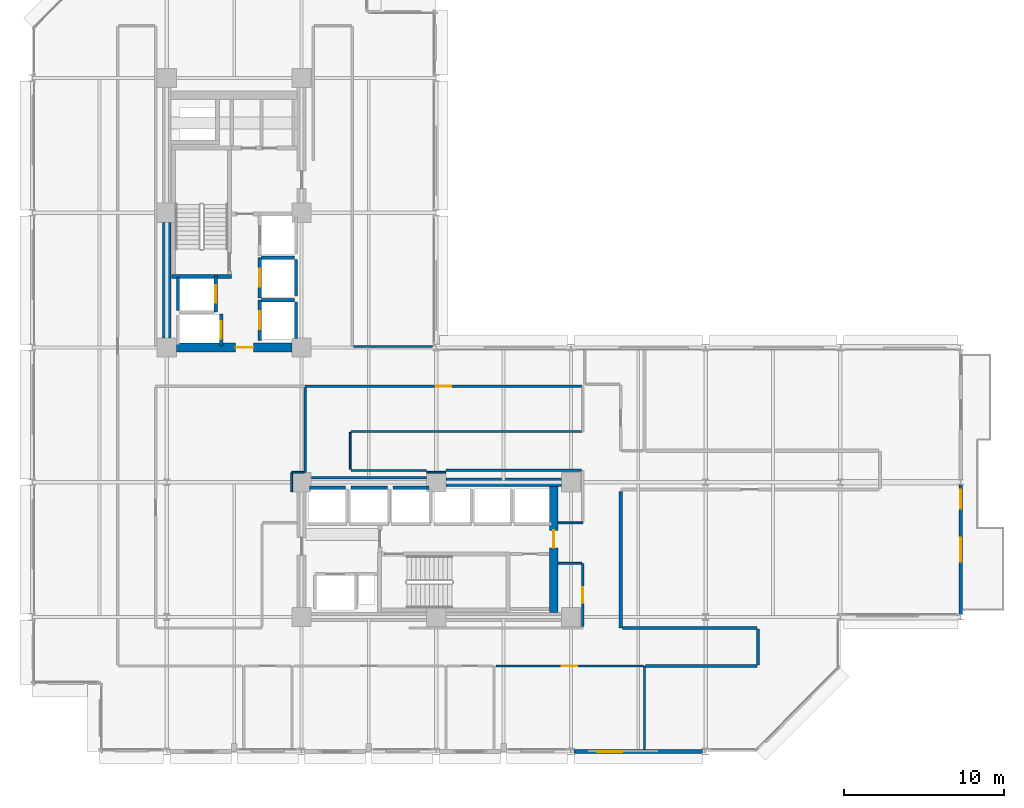
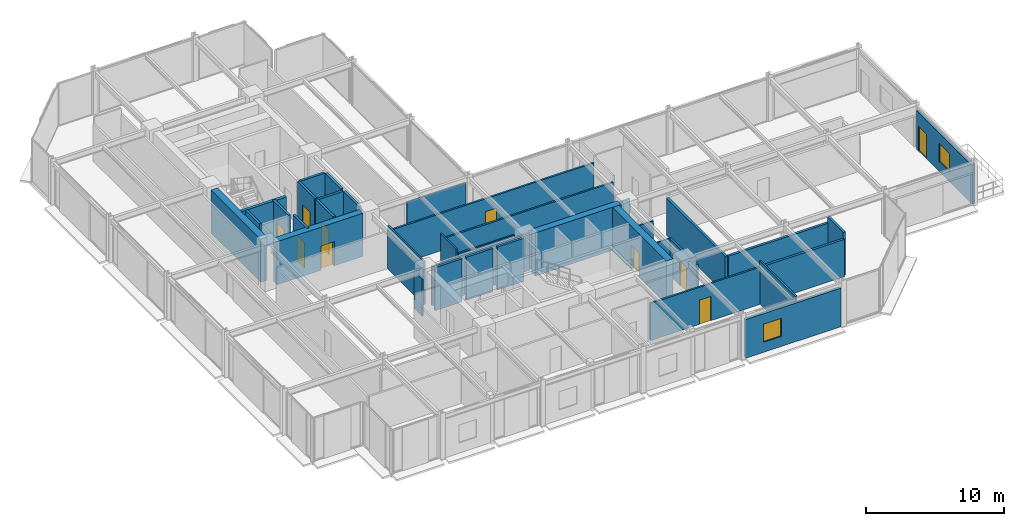
# One storey, part 33 of 39: 39 walls, 10 doors, 2 windows, 12 openings.
"""IFC4 building model written with IfcOpenShell, lengths in metres."""

from ifc_helpers import new_model, si_unit, direction, frame, frame_2d, origin, place, context, subcontext, project, spatial, rectangle, extrude, material, layer, layer_set, type_object, element, fill, save


model = new_model("IFC4")

# Units and contexts
model_context = context("Model", 3, precision=1e-05, world=origin(), true_north=direction((0.0, 1.0)))
body_context = subcontext(model_context, "Body", "Model", "MODEL_VIEW")
ifc_project = project(units=[si_unit("LENGTHUNIT", "METRE"), si_unit("AREAUNIT", "SQUARE_METRE"), si_unit("VOLUMEUNIT", "CUBIC_METRE"), si_unit("PLANEANGLEUNIT", "RADIAN"), si_unit("MASSUNIT", "GRAM", prefix="KILO")], contexts=[model_context])

# Site, building, storey
site_placement = place(None, origin())
site = spatial("IfcSite", under=ifc_project, at=site_placement, CompositionType="ELEMENT")
building_placement = place(site_placement, origin())
building = spatial("IfcBuilding", under=site, at=building_placement, Name="Nerrivon Quay Data Exchange", CompositionType="ELEMENT")
storey_placement = place(building_placement, frame((0.0, 0.0, 92.60009765625)))
storey = spatial("IfcBuildingStorey", under=building, at=storey_placement, Name="L21", CompositionType="ELEMENT", Elevation=92.60009765625)

# Wall, openings, door, window
ifc_material_1 = material(Name="Architectural terracotta precast concrete N50 (50 MPa)", Category="masonry")
ifc_layer_1 = layer(ifc_material_1, 0.239990234375)
ifc_layer_set_1 = layer_set([ifc_layer_1], Name="Architectural terracotta precast concrete N50 (50 MPa)")
wall_type_1 = type_object("IfcWallType", Name="EW-PREC-240", PredefinedType="STANDARD", material=ifc_layer_set_1)
wall_1_placement = place(storey_placement, frame((57.89990234375, 16.636474609375, 0.0), z_axis=(0.0, 0.0, 1.0), x_axis=(0.0, -1.0, 0.0)))
wall_1 = element("IfcWall", 1, at=wall_1_placement, inside=storey, type_object=wall_type_1, Name="L21 Terrace Host Wall 2", PredefinedType="STANDARD", context=body_context, shape_type="SweptSolid", body=[
    extrude(rectangle(XDim=8.072998046875, YDim=0.239990234375, at=frame_2d((4.03662109375, 0.0))), origin(), (0.0, 0.0, 1.0), 3.421875),
])
opening_1_placement = place(wall_1_placement, frame((0.300048828125, 0.0, 0.0)))
opening_1 = element("IfcOpeningElement", 2, at=opening_1_placement, cuts=wall_1, Name="Opening TD1", PredefinedType="OPENING", context=body_context, shape_type="SweptSolid", body=[
    extrude(rectangle(XDim=1.199951171875, YDim=2.199951171875, at=frame_2d((0.60009765625, 1.10009765625))), frame((0.0, 0.1298828125, 0.0), z_axis=(0.0, -1.0, 0.0), x_axis=(1.0, 0.0, 0.0)), (0.0, 0.0, 1.0), 0.260009765625),
])
opening_2_placement = place(wall_1_placement, frame((3.28662109375, 0.0, 0.89990234375)))
opening_2 = element("IfcOpeningElement", 3, at=opening_2_placement, cuts=wall_1, Name="Opening WN4", PredefinedType="OPENING", context=body_context, shape_type="SweptSolid", body=[
    extrude(rectangle(XDim=1.5, YDim=1.60009765625, at=frame_2d((0.75, 0.800048828125))), frame((0.0, 0.1298828125, 0.0), z_axis=(0.0, -1.0, 0.0), x_axis=(1.0, 0.0, 0.0)), (0.0, 0.0, 1.0), 0.260009765625),
])
ifc_material_2 = material(Name="Double-glazed low-E solar control glass", Category="glass")
door_type_1 = type_object("IfcDoorType", Name="DR-TERR-1200x2200", OperationType="NOTDEFINED", PredefinedType="DOOR", material=ifc_material_2)
door_1_placement = place(opening_1_placement, origin())
door_1 = element("IfcDoor", 4, at=door_1_placement, inside=storey, type_object=door_type_1, Name="L21 Outdoor Terrace Access Door 2", OperationType="SINGLE_SWING_LEFT", OverallHeight=2.199951171875, OverallWidth=1.199951171875, PredefinedType="DOOR", context=body_context, shape_type="SweptSolid", body=[
    extrude(rectangle(XDim=1.199951171875, YDim=2.199951171875, at=frame_2d((0.60009765625, 1.10009765625))), frame((0.0, 0.02490234375, 0.0), z_axis=(0.0, -1.0, 0.0), x_axis=(1.0, 0.0, 0.0)), (0.0, 0.0, 1.0), 0.050048828125),
])
fill(opening_1, door_1)
window_type = type_object("IfcWindowType", Name="WIN-W4-1500x1600", PartitioningType="SINGLE_PANEL", PredefinedType="WINDOW", material=ifc_material_2)
window_1_placement = place(opening_2_placement, origin())
window_1 = element("IfcWindow", 5, at=window_1_placement, inside=storey, type_object=window_type, Name="L21 Terrace Side Window 2", OverallHeight=1.60009765625, OverallWidth=1.5, PartitioningType="SINGLE_PANEL", PredefinedType="WINDOW", context=body_context, shape_type="SweptSolid", body=[
    extrude(rectangle(XDim=1.5, YDim=1.60009765625, at=frame_2d((0.75, 0.800048828125))), frame((0.0, 0.030029296875, 0.0), z_axis=(0.0, -1.0, 0.0), x_axis=(1.0, 0.0, 0.0)), (0.0, 0.0, 1.0), 0.06005859375),
])
fill(opening_2, window_1)

# Wall, opening, window
wall_2_placement = place(storey_placement, frame((41.800048828125, 0.0, 0.0), z_axis=(0.0, 0.0, 1.0), x_axis=(-1.0, 0.0, 0.0)))
wall_2 = element("IfcWall", 6, at=wall_2_placement, inside=storey, type_object=wall_type_1, Name="L21 Podium Precast Spandrel Wall 7", PredefinedType="STANDARD", context=body_context, shape_type="SweptSolid", body=[
    extrude(rectangle(XDim=8.0, YDim=0.239990234375, at=frame_2d((4.0, 0.0))), origin(), (0.0, 0.0, 1.0), 3.421875),
])
opening_3_placement = place(wall_2_placement, frame((5.013916015625, 0.0, 0.89990234375)))
opening_3 = element("IfcOpeningElement", 7, at=opening_3_placement, cuts=wall_2, Name="Opening WN4", PredefinedType="OPENING", context=body_context, shape_type="SweptSolid", body=[
    extrude(rectangle(XDim=1.5, YDim=1.60009765625, at=frame_2d((0.75, 0.800048828125))), frame((0.0, 0.1298828125, 0.0), z_axis=(0.0, -1.0, 0.0), x_axis=(1.0, 0.0, 0.0)), (0.0, 0.0, 1.0), 0.260009765625),
])
window_2_placement = place(opening_3_placement, origin())
window_2 = element("IfcWindow", 8, at=window_2_placement, inside=storey, type_object=window_type, Name="L21 Solar Facade Window 7", OverallHeight=1.60009765625, OverallWidth=1.5, PartitioningType="SINGLE_PANEL", PredefinedType="WINDOW", context=body_context, shape_type="SweptSolid", body=[
    extrude(rectangle(XDim=1.5, YDim=1.60009765625, at=frame_2d((0.75, 0.800048828125))), frame((0.0, 0.030029296875, 0.0), z_axis=(0.0, -1.0, 0.0), x_axis=(1.0, 0.0, 0.0)), (0.0, 0.0, 1.0), 0.06005859375),
])
fill(opening_3, window_2)

# Wall
ifc_material_3 = material(Name="Concrete S65 (65 MPa)", Category="concrete")
ifc_layer_2 = layer(ifc_material_3, 0.550048828125)
ifc_layer_set_2 = layer_set([ifc_layer_2], Name="Concrete S65 (65 MPa)")
wall_type_2 = type_object("IfcWallType", Name="WALL-CW-700", PredefinedType="SHEAR", material=ifc_layer_set_2)
wall_3_placement = place(storey_placement, frame((8.39990234375, 25.800048828125, 0.0), z_axis=(0.0, 0.0, 1.0), x_axis=(0.0, 1.0, 0.0)))
element("IfcWall", 9, at=wall_3_placement, inside=storey, type_object=wall_type_2, Name="L21 West Split-Core Shear Wall WCW-W1", PredefinedType="SHEAR", context=body_context, shape_type="SweptSolid", body=[
    extrude(rectangle(XDim=7.199951171875, YDim=0.550048828125, at=frame_2d((3.60009765625, 0.0))), origin(), (0.0, 0.0, 1.0), 3.824951171875),
])

# Wall, opening, door
wall_4_placement = place(storey_placement, frame((9.0, 25.199951171875, 0.0), z_axis=(0.0, 0.0, 1.0), x_axis=(1.0, 0.0, 0.0)))
wall_4 = element("IfcWall", 10, at=wall_4_placement, inside=storey, type_object=wall_type_2, Name="L21 West Split-Core Shear Wall WCW-S1", PredefinedType="SHEAR", context=body_context, shape_type="SweptSolid", body=[
    extrude(rectangle(XDim=7.199951171875, YDim=0.550048828125, at=frame_2d((3.60009765625, 0.0))), origin(), (0.0, 0.0, 1.0), 3.824951171875),
])
opening_4_placement = place(wall_4_placement, frame((3.699951171875, 0.0, 0.0)))
opening_4 = element("IfcOpeningElement", 11, at=opening_4_placement, cuts=wall_4, Name="Opening FD-120", PredefinedType="OPENING", context=body_context, shape_type="SweptSolid", body=[
    extrude(rectangle(XDim=1.10009765625, YDim=2.14990234375, at=frame_2d((0.550048828125, 1.074951171875))), frame((0.0, 0.284912109375, 0.0), z_axis=(0.0, -1.0, 0.0), x_axis=(1.0, 0.0, 0.0)), (0.0, 0.0, 1.0), 0.570068359375),
])
ifc_material_4 = material(Name="Powder-coated galvanized steel sheet", Category="steel")
door_type_2 = type_object("IfcDoorType", Name="DR-FD120-1100", OperationType="NOTDEFINED", PredefinedType="DOOR", material=ifc_material_4)
door_2_placement = place(opening_4_placement, origin())
door_2 = element("IfcDoor", 12, at=door_2_placement, inside=storey, type_object=door_type_2, Name="L21 West Core Lobby Fire Door", OperationType="SINGLE_SWING_LEFT", OverallHeight=2.14990234375, OverallWidth=1.10009765625, PredefinedType="DOOR", context=body_context, shape_type="SweptSolid", body=[
    extrude(rectangle(XDim=1.10009765625, YDim=2.14990234375, at=frame_2d((0.550048828125, 1.074951171875))), frame((0.0, 0.02490234375, 0.0), z_axis=(0.0, -1.0, 0.0), x_axis=(1.0, 0.0, 0.0)), (0.0, 0.0, 1.0), 0.050048828125),
])
fill(opening_4, door_2)

wall_5_placement = place(storey_placement, frame((32.52490234375, 8.675048828125, 0.0), z_axis=(0.0, 0.0, 1.0), x_axis=(0.0, 1.0, 0.0)))
wall_5 = element("IfcWall", 13, at=wall_5_placement, inside=storey, type_object=wall_type_2, Name="L21 East Split-Core Shear Wall ECW-E1", PredefinedType="SHEAR", context=body_context, shape_type="SweptSolid", body=[
    extrude(rectangle(XDim=7.849853515625, YDim=0.550048828125, at=frame_2d((3.9248046875, 0.0))), origin(), (0.0, 0.0, 1.0), 3.824951171875),
])
opening_5_placement = place(wall_5_placement, frame((4.02490234375, 0.0, 0.0)))
opening_5 = element("IfcOpeningElement", 14, at=opening_5_placement, cuts=wall_5, Name="Opening FD-120", PredefinedType="OPENING", context=body_context, shape_type="SweptSolid", body=[
    extrude(rectangle(XDim=1.10009765625, YDim=2.14990234375, at=frame_2d((0.550048828125, 1.074951171875))), frame((0.0, 0.284912109375, 0.0), z_axis=(0.0, -1.0, 0.0), x_axis=(1.0, 0.0, 0.0)), (0.0, 0.0, 1.0), 0.570068359375),
])
door_3_placement = place(opening_5_placement, origin())
door_3 = element("IfcDoor", 15, at=door_3_placement, inside=storey, type_object=door_type_2, Name="L21 East Core Lobby Fire Door", OperationType="SINGLE_SWING_RIGHT", OverallHeight=2.14990234375, OverallWidth=1.10009765625, PredefinedType="DOOR", context=body_context, shape_type="SweptSolid", body=[
    extrude(rectangle(XDim=1.10009765625, YDim=2.14990234375, at=frame_2d((0.550048828125, 1.074951171875))), frame((0.0, 0.02490234375, 0.0), z_axis=(0.0, -1.0, 0.0), x_axis=(1.0, 0.0, 0.0)), (0.0, 0.0, 1.0), 0.050048828125),
])
fill(opening_5, door_3)

# Wall
wall_6_placement = place(storey_placement, frame((25.800048828125, 16.800048828125, 0.0), z_axis=(0.0, 0.0, 1.0), x_axis=(1.0, 0.0, 0.0)))
element("IfcWall", 16, at=wall_6_placement, inside=storey, type_object=wall_type_2, Name="L21 East Split-Core Shear Wall ECW-N1", PredefinedType="SHEAR", context=body_context, shape_type="SweptSolid", body=[
    extrude(rectangle(XDim=7.199951171875, YDim=0.550048828125, at=frame_2d((3.60009765625, 0.0))), origin(), (0.0, 0.0, 1.0), 3.824951171875),
])

# Wall, opening, door
ifc_material_5 = material(Name="Gypsum plasterboard on cold-formed framing", Category="gypsum")
ifc_layer_3 = layer(ifc_material_5, 0.199951171875)
ifc_layer_set_3 = layer_set([ifc_layer_3], Name="Gypsum plasterboard on cold-formed framing")
wall_type_3 = type_object("IfcWallType", Name="WALL-FW-200", PredefinedType="PARTITIONING", material=ifc_layer_set_3)
wall_7_placement = place(storey_placement, frame((11.449951171875, 27.39990234375, 0.0), z_axis=(0.0, 0.0, 1.0), x_axis=(0.0, 1.0, 0.0)))
wall_7 = element("IfcWall", 17, at=wall_7_placement, inside=storey, type_object=wall_type_3, Name="L21 Lift Front Wall FFL-1", PredefinedType="PARTITIONING", context=body_context, shape_type="SweptSolid", body=[
    extrude(rectangle(XDim=2.25, YDim=0.199951171875, at=frame_2d((1.125, 0.0))), origin(), (0.0, 0.0, 1.0), 3.824951171875),
])
opening_6_placement = place(wall_7_placement, frame((0.574951171875, 0.0, 0.0)))
opening_6 = element("IfcOpeningElement", 18, at=opening_6_placement, cuts=wall_7, Name="Opening LD-120", PredefinedType="OPENING", context=body_context, shape_type="SweptSolid", body=[
    extrude(rectangle(XDim=1.10009765625, YDim=2.199951171875, at=frame_2d((0.550048828125, 1.10009765625))), frame((0.0, 0.10986328125, 0.0), z_axis=(0.0, -1.0, 0.0), x_axis=(1.0, 0.0, 0.0)), (0.0, 0.0, 1.0), 0.219970703125),
])
door_type_3 = type_object("IfcDoorType", Name="DR-LIFT-LD120", OperationType="DOUBLE_DOOR_SLIDING", PredefinedType="DOOR", material=ifc_material_4)
door_4_placement = place(opening_6_placement, origin())
door_4 = element("IfcDoor", 19, at=door_4_placement, inside=storey, type_object=door_type_3, Name="L21 Lift Landing Sliding Door FFL-1", OperationType="DOUBLE_DOOR_SLIDING", OverallHeight=2.199951171875, OverallWidth=1.10009765625, PredefinedType="DOOR", context=body_context, shape_type="SweptSolid", body=[
    extrude(rectangle(XDim=1.10009765625, YDim=2.199951171875, at=frame_2d((0.550048828125, 1.10009765625))), frame((0.0, 0.02490234375, 0.0), z_axis=(0.0, -1.0, 0.0), x_axis=(1.0, 0.0, 0.0)), (0.0, 0.0, 1.0), 0.050048828125),
])
fill(opening_6, door_4)

# Wall
wall_8_placement = place(storey_placement, frame((9.10009765625, 27.5, 0.0), z_axis=(0.0, 0.0, 1.0), x_axis=(0.0, 1.0, 0.0)))
element("IfcWall", 20, at=wall_8_placement, inside=storey, type_object=wall_type_3, Name="L21 Lift Shaft Wall FFL-1 WEST", PredefinedType="PARTITIONING", context=body_context, shape_type="SweptSolid", body=[
    extrude(rectangle(XDim=2.050048828125, YDim=0.199951171875, at=frame_2d((1.02490234375, 0.0))), origin(), (0.0, 0.0, 1.0), 3.824951171875),
])

# Wall, opening, door
wall_9_placement = place(storey_placement, frame((11.800048828125, 25.300048828125, 0.0), z_axis=(0.0, 0.0, 1.0), x_axis=(0.0, 1.0, 0.0)))
wall_9 = element("IfcWall", 21, at=wall_9_placement, inside=storey, type_object=wall_type_3, Name="L21 Lift Front Wall SVL-1", PredefinedType="PARTITIONING", context=body_context, shape_type="SweptSolid", body=[
    extrude(rectangle(XDim=2.0, YDim=0.199951171875, at=frame_2d((1.0, 0.0))), origin(), (0.0, 0.0, 1.0), 3.824951171875),
])
opening_7_placement = place(wall_9_placement, frame((0.449951171875, 0.0, 0.0)))
opening_7 = element("IfcOpeningElement", 22, at=opening_7_placement, cuts=wall_9, Name="Opening LD-120", PredefinedType="OPENING", context=body_context, shape_type="SweptSolid", body=[
    extrude(rectangle(XDim=1.10009765625, YDim=2.199951171875, at=frame_2d((0.550048828125, 1.10009765625))), frame((0.0, 0.10986328125, 0.0), z_axis=(0.0, -1.0, 0.0), x_axis=(1.0, 0.0, 0.0)), (0.0, 0.0, 1.0), 0.219970703125),
])
door_5_placement = place(opening_7_placement, origin())
door_5 = element("IfcDoor", 23, at=door_5_placement, inside=storey, type_object=door_type_3, Name="L21 Lift Landing Sliding Door SVL-1", OperationType="DOUBLE_DOOR_SLIDING", OverallHeight=2.199951171875, OverallWidth=1.10009765625, PredefinedType="DOOR", context=body_context, shape_type="SweptSolid", body=[
    extrude(rectangle(XDim=1.10009765625, YDim=2.199951171875, at=frame_2d((0.550048828125, 1.10009765625))), frame((0.0, 0.02490234375, 0.0), z_axis=(0.0, -1.0, 0.0), x_axis=(1.0, 0.0, 0.0)), (0.0, 0.0, 1.0), 0.050048828125),
])
fill(opening_7, door_5)

wall_10_placement = place(storey_placement, frame((14.199951171875, 25.64990234375, 0.0), z_axis=(0.0, 0.0, 1.0), x_axis=(0.0, 1.0, 0.0)))
wall_10 = element("IfcWall", 24, at=wall_10_placement, inside=storey, type_object=wall_type_3, Name="L21 Lift Front Wall PL1", PredefinedType="PARTITIONING", context=body_context, shape_type="SweptSolid", body=[
    extrude(rectangle(XDim=2.5, YDim=0.199951171875, at=frame_2d((1.25, 0.0))), origin(), (0.0, 0.0, 1.0), 3.824951171875),
])
opening_8_placement = place(wall_10_placement, frame((0.699951171875, 0.0, 0.0)))
opening_8 = element("IfcOpeningElement", 25, at=opening_8_placement, cuts=wall_10, Name="Opening LD-120", PredefinedType="OPENING", context=body_context, shape_type="SweptSolid", body=[
    extrude(rectangle(XDim=1.10009765625, YDim=2.199951171875, at=frame_2d((0.550048828125, 1.10009765625))), frame((0.0, 0.10986328125, 0.0), z_axis=(0.0, -1.0, 0.0), x_axis=(1.0, 0.0, 0.0)), (0.0, 0.0, 1.0), 0.219970703125),
])
door_6_placement = place(opening_8_placement, origin())
door_6 = element("IfcDoor", 26, at=door_6_placement, inside=storey, type_object=door_type_3, Name="L21 Lift Landing Sliding Door PL1", OperationType="DOUBLE_DOOR_SLIDING", OverallHeight=2.199951171875, OverallWidth=1.10009765625, PredefinedType="DOOR", context=body_context, shape_type="SweptSolid", body=[
    extrude(rectangle(XDim=1.10009765625, YDim=2.199951171875, at=frame_2d((0.550048828125, 1.10009765625))), frame((0.0, 0.02490234375, 0.0), z_axis=(0.0, -1.0, 0.0), x_axis=(1.0, 0.0, 0.0)), (0.0, 0.0, 1.0), 0.050048828125),
])
fill(opening_8, door_6)

# Walls
wall_11_placement = place(storey_placement, frame((16.449951171875, 25.75, 0.0), z_axis=(0.0, 0.0, 1.0), x_axis=(0.0, 1.0, 0.0)))
element("IfcWall", 27, at=wall_11_placement, inside=storey, type_object=wall_type_3, Name="L21 Lift Shaft Wall PL1 EAST", PredefinedType="PARTITIONING", context=body_context, shape_type="SweptSolid", body=[
    extrude(rectangle(XDim=2.300048828125, YDim=0.199951171875, at=frame_2d((1.14990234375, 0.0))), origin(), (0.0, 0.0, 1.0), 3.824951171875),
])
wall_12_placement = place(storey_placement, frame((14.300048828125, 28.14990234375, 0.0), z_axis=(0.0, 0.0, 1.0), x_axis=(1.0, 0.0, 0.0)))
element("IfcWall", 28, at=wall_12_placement, inside=storey, type_object=wall_type_3, Name="L21 Lift Shaft Wall PL1 NORTH", PredefinedType="PARTITIONING", context=body_context, shape_type="SweptSolid", body=[
    extrude(rectangle(XDim=2.050048828125, YDim=0.199951171875, at=frame_2d((1.02490234375, 0.0))), origin(), (0.0, 0.0, 1.0), 3.824951171875),
])

# Wall, opening, door
wall_13_placement = place(storey_placement, frame((14.199951171875, 28.300048828125, 0.0), z_axis=(0.0, 0.0, 1.0), x_axis=(0.0, 1.0, 0.0)))
wall_13 = element("IfcWall", 29, at=wall_13_placement, inside=storey, type_object=wall_type_3, Name="L21 Lift Front Wall PL2", PredefinedType="PARTITIONING", context=body_context, shape_type="SweptSolid", body=[
    extrude(rectangle(XDim=2.5, YDim=0.199951171875, at=frame_2d((1.25, 0.0))), origin(), (0.0, 0.0, 1.0), 3.824951171875),
])
opening_9_placement = place(wall_13_placement, frame((0.699951171875, 0.0, 0.0)))
opening_9 = element("IfcOpeningElement", 30, at=opening_9_placement, cuts=wall_13, Name="Opening LD-120", PredefinedType="OPENING", context=body_context, shape_type="SweptSolid", body=[
    extrude(rectangle(XDim=1.10009765625, YDim=2.199951171875, at=frame_2d((0.550048828125, 1.10009765625))), frame((0.0, 0.10986328125, 0.0), z_axis=(0.0, -1.0, 0.0), x_axis=(1.0, 0.0, 0.0)), (0.0, 0.0, 1.0), 0.219970703125),
])
door_7_placement = place(opening_9_placement, origin())
door_7 = element("IfcDoor", 31, at=door_7_placement, inside=storey, type_object=door_type_3, Name="L21 Lift Landing Sliding Door PL2", OperationType="DOUBLE_DOOR_SLIDING", OverallHeight=2.199951171875, OverallWidth=1.10009765625, PredefinedType="DOOR", context=body_context, shape_type="SweptSolid", body=[
    extrude(rectangle(XDim=1.10009765625, YDim=2.199951171875, at=frame_2d((0.550048828125, 1.10009765625))), frame((0.0, 0.02490234375, 0.0), z_axis=(0.0, -1.0, 0.0), x_axis=(1.0, 0.0, 0.0)), (0.0, 0.0, 1.0), 0.050048828125),
])
fill(opening_9, door_7)

# Walls
wall_14_placement = place(storey_placement, frame((16.449951171875, 28.39990234375, 0.0), z_axis=(0.0, 0.0, 1.0), x_axis=(0.0, 1.0, 0.0)))
element("IfcWall", 32, at=wall_14_placement, inside=storey, type_object=wall_type_3, Name="L21 Lift Shaft Wall PL2 EAST", PredefinedType="PARTITIONING", context=body_context, shape_type="SweptSolid", body=[
    extrude(rectangle(XDim=2.300048828125, YDim=0.199951171875, at=frame_2d((1.14990234375, 0.0))), origin(), (0.0, 0.0, 1.0), 3.824951171875),
])
wall_15_placement = place(storey_placement, frame((14.300048828125, 30.800048828125, 0.0), z_axis=(0.0, 0.0, 1.0), x_axis=(1.0, 0.0, 0.0)))
element("IfcWall", 33, at=wall_15_placement, inside=storey, type_object=wall_type_3, Name="L21 Lift Shaft Wall PL2 NORTH", PredefinedType="PARTITIONING", context=body_context, shape_type="SweptSolid", body=[
    extrude(rectangle(XDim=2.050048828125, YDim=0.199951171875, at=frame_2d((1.02490234375, 0.0))), origin(), (0.0, 0.0, 1.0), 3.824951171875),
])
for number, where, z_axis, x_axis, name in (
    (34, (17.300048828125, 16.449951171875, 0.0), (0.0, 0.0, 1.0), (1.0, 0.0, 0.0), "L21 Lift Shaft Wall PL4 NORTH"),
    (35, (19.89990234375, 16.449951171875, 0.0), (0.0, 0.0, 1.0), (1.0, 0.0, 0.0), "L21 Lift Shaft Wall PL5 NORTH"),
    (36, (22.5, 16.449951171875, 0.0), (0.0, 0.0, 1.0), (1.0, 0.0, 0.0), "L21 Lift Shaft Wall PL6 NORTH"),
):
    element("IfcWall", number, at=place(storey_placement, frame(where, z_axis=z_axis, x_axis=x_axis)), inside=storey, type_object=wall_type_3, Name=name, PredefinedType="PARTITIONING", context=body_context, shape_type="SweptSolid", body=[
        extrude(rectangle(XDim=2.25, YDim=0.199951171875, at=frame_2d((1.125, 0.0))), origin(), (0.0, 0.0, 1.0), 3.824951171875),
    ])
wall_16_placement = place(storey_placement, frame((36.7099609375, 16.236083984375, 0.0), z_axis=(0.0, 0.0, 1.0), x_axis=(0.0, -1.0, 0.0)))
element("IfcWall", 37, at=wall_16_placement, inside=storey, type_object=wall_type_3, Name="L21 Partition Colocation Data Workspace 1", PredefinedType="PARTITIONING", context=body_context, shape_type="SweptSolid", body=[
    extrude(rectangle(XDim=8.526123046875, YDim=0.199951171875, at=frame_2d((4.26318359375, 0.0))), origin(), (0.0, 0.0, 1.0), 3.2919921875),
])
wall_17_placement = place(storey_placement, frame((36.81396484375, 7.7099609375, 0.0), z_axis=(0.0, 0.0, 1.0), x_axis=(1.0, 0.0, 0.0)))
element("IfcWall", 38, at=wall_17_placement, inside=storey, type_object=wall_type_3, Name="L21 Partition Colocation Data Workspace 1", PredefinedType="PARTITIONING", context=body_context, shape_type="SweptSolid", body=[
    extrude(rectangle(XDim=8.385986328125, YDim=0.199951171875, at=frame_2d((4.19287109375, 0.0))), origin(), (0.0, 0.0, 1.0), 3.296875),
])
wall_18_placement = place(storey_placement, frame((45.260009765625, 7.64990234375, 0.0), z_axis=(0.0, 0.0, 1.0), x_axis=(0.0, -1.0, 0.0)))
element("IfcWall", 39, at=wall_18_placement, inside=storey, type_object=wall_type_3, Name="L21 Partition Colocation Data Workspace 1", PredefinedType="PARTITIONING", context=body_context, shape_type="SweptSolid", body=[
    extrude(rectangle(XDim=2.25, YDim=0.199951171875, at=frame_2d((1.125, 0.0))), origin(), (0.0, 0.0, 1.0), 3.824951171875),
])
wall_19_placement = place(storey_placement, frame((45.199951171875, 5.340087890625, 0.0), z_axis=(0.0, 0.0, 1.0), x_axis=(-1.0, 0.0, 0.0)))
element("IfcWall", 40, at=wall_19_placement, inside=storey, type_object=wall_type_3, Name="L21 Partition Colocation Data Workspace 1", PredefinedType="PARTITIONING", context=body_context, shape_type="SweptSolid", body=[
    extrude(rectangle(XDim=6.946533203125, YDim=0.199951171875, at=frame_2d((3.47314453125, 0.0))), origin(), (0.0, 0.0, 1.0), 3.296875),
])
ifc_layer_4 = layer(ifc_material_5, 0.1201171875)
ifc_layer_set_4 = layer_set([ifc_layer_4], Name="Gypsum plasterboard on cold-formed framing")
wall_type_4 = type_object("IfcWallType", Name="WALL-PT-120", PredefinedType="PARTITIONING", material=ifc_layer_set_4)
wall_20_placement = place(storey_placement, frame((34.2685546875, 11.739990234375, 0.0), z_axis=(0.0, 0.0, 1.0), x_axis=(-1.0, 0.0, 0.0)))
element("IfcWall", 41, at=wall_20_placement, inside=storey, type_object=wall_type_4, Name="L21 Partition Staff Pantry", PredefinedType="PARTITIONING", context=body_context, shape_type="SweptSolid", body=[
    extrude(rectangle(XDim=1.464599609375, YDim=0.1201171875, at=frame_2d((0.732421875, 0.0))), origin(), (0.0, 0.0, 1.0), 3.296875),
])
wall_21_placement = place(storey_placement, frame((24.59423828125, 17.419189453125, 0.0), z_axis=(0.0, 0.0, 1.0), x_axis=(0.999999815526, 0.000607410295, 0.0)))
element("IfcWall", 42, at=wall_21_placement, inside=storey, type_object=wall_type_4, Name="L21 Partition Technical Library", PredefinedType="PARTITIONING", context=body_context, shape_type="SweptSolid", body=[
    extrude(rectangle(XDim=1.205810546875, YDim=0.1201171875, at=frame_2d((0.60302734375, 0.0))), origin(), (0.0, 0.0, 1.0), 3.296875),
])
wall_22_placement = place(storey_placement, frame((32.803955078125, 14.260009765625, 0.0), z_axis=(0.0, 0.0, 1.0), x_axis=(1.0, 0.0, 0.0)))
element("IfcWall", 43, at=wall_22_placement, inside=storey, type_object=wall_type_4, Name="L21 Partition Technical Library", PredefinedType="PARTITIONING", context=body_context, shape_type="SweptSolid", body=[
    extrude(rectangle(XDim=1.5361328125, YDim=0.1201171875, at=frame_2d((0.76806640625, 0.0))), origin(), (0.0, 0.0, 1.0), 3.296875),
])
wall_23_placement = place(storey_placement, frame((19.840087890625, 17.60009765625, 0.0), z_axis=(0.0, 0.0, 1.0), x_axis=(0.0, 1.0, 0.0)))
element("IfcWall", 44, at=wall_23_placement, inside=storey, type_object=wall_type_4, Name="L21 Partition Technical Library", PredefinedType="PARTITIONING", context=body_context, shape_type="SweptSolid", body=[
    extrude(rectangle(XDim=2.2998046875, YDim=0.1201171875, at=frame_2d((1.14990234375, 0.0))), origin(), (0.0, 0.0, 1.0), 3.824951171875),
])
wall_24_placement = place(storey_placement, frame((16.180908203125, 16.194091796875, 0.0), z_axis=(0.0, 0.0, 1.0), x_axis=(-0.000606305467, 0.999999816197, 0.0)))
element("IfcWall", 45, at=wall_24_placement, inside=storey, type_object=wall_type_4, Name="L21 Partition Cloud Compute Workspace 1", PredefinedType="PARTITIONING", context=body_context, shape_type="SweptSolid", body=[
    extrude(rectangle(XDim=1.2080078125, YDim=0.1201171875, at=frame_2d((0.60400390625, 0.0))), origin(), (0.0, 0.0, 1.0), 3.2919921875),
])
wall_25_placement = place(storey_placement, frame((16.199951171875, 17.419921875, 0.0), z_axis=(0.0, 0.0, 1.0), x_axis=(1.0, 0.0, 0.0)))
element("IfcWall", 46, at=wall_25_placement, inside=storey, type_object=wall_type_4, Name="L21 Partition Cloud Compute Workspace 1", PredefinedType="PARTITIONING", context=body_context, shape_type="SweptSolid", body=[
    extrude(rectangle(XDim=0.759033203125, YDim=0.1201171875, at=frame_2d((0.37939453125, 0.0))), origin(), (0.0, 0.0, 1.0), 3.296875),
])

# Wall, opening, door
ifc_layer_5 = layer(ifc_material_5, 0.135009765625)
ifc_layer_set_5 = layer_set([ifc_layer_5], Name="Gypsum plasterboard on cold-formed framing")
wall_type_5 = type_object("IfcWallType", Name="WALL-PT-135", PredefinedType="PARTITIONING", material=ifc_layer_set_5)
wall_26_placement = place(storey_placement, frame((34.340087890625, 7.7890625, 0.0), z_axis=(0.0, 0.0, 1.0), x_axis=(0.0, 1.0, 0.0)))
wall_26 = element("IfcWall", 47, at=wall_26_placement, inside=storey, type_object=wall_type_5, Name="L21 Partition Staff Pantry", PredefinedType="PARTITIONING", context=body_context, shape_type="SweptSolid", body=[
    extrude(rectangle(XDim=3.950927734375, YDim=0.135009765625, at=frame_2d((1.9755859375, 0.0))), origin(), (0.0, 0.0, 1.0), 3.2919921875),
])
opening_10_placement = place(wall_26_placement, frame((1.50048828125, 0.0, 0.0)))
opening_10 = element("IfcOpeningElement", 48, at=opening_10_placement, cuts=wall_26, Name="Opening D-01", PredefinedType="OPENING", context=body_context, shape_type="SweptSolid", body=[
    extrude(rectangle(XDim=0.949951171875, YDim=2.14990234375, at=frame_2d((0.47509765625, 1.074951171875))), frame((0.0, 0.077392578125, 0.0), z_axis=(0.0, -1.0, 0.0), x_axis=(1.0, 0.0, 0.0)), (0.0, 0.0, 1.0), 0.155029296875),
])
ifc_material_6 = material(Name="Engineered hardwood timber", Category="wood")
door_type_4 = type_object("IfcDoorType", Name="DR-INT-950", OperationType="NOTDEFINED", PredefinedType="DOOR", material=ifc_material_6)
door_8_placement = place(opening_10_placement, origin())
door_8 = element("IfcDoor", 49, at=door_8_placement, inside=storey, type_object=door_type_4, Name="L21 Door Staff Pantry", OperationType="SINGLE_SWING_LEFT", OverallHeight=2.14990234375, OverallWidth=0.949951171875, PredefinedType="DOOR", context=body_context, shape_type="SweptSolid", body=[
    extrude(rectangle(XDim=0.949951171875, YDim=2.14990234375, at=frame_2d((0.47509765625, 1.074951171875))), frame((0.0, 0.02490234375, 0.0), z_axis=(0.0, -1.0, 0.0), x_axis=(1.0, 0.0, 0.0)), (0.0, 0.0, 1.0), 0.050048828125),
])
fill(opening_10, door_8)

# Walls
wall_27_placement = place(storey_placement, frame((38.181884765625, 0.1240234375, 0.0), z_axis=(0.0, 0.0, 1.0), x_axis=(0.0, 1.0, 0.0)))
element("IfcWall", 50, at=wall_27_placement, inside=storey, type_object=wall_type_5, Name="L21 Partition Network Security Control", PredefinedType="PARTITIONING", context=body_context, shape_type="SweptSolid", body=[
    extrude(rectangle(XDim=5.216064453125, YDim=0.135009765625, at=frame_2d((2.60791015625, 0.0))), origin(), (0.0, 0.0, 1.0), 3.824951171875),
])
wall_28_placement = place(storey_placement, frame((17.030517578125, 22.7109375, 0.0), z_axis=(0.0, 0.0, 1.0), x_axis=(0.0, -1.0, 0.0)))
element("IfcWall", 51, at=wall_28_placement, inside=storey, type_object=wall_type_5, Name="L21 Partition Technical Library", PredefinedType="PARTITIONING", context=body_context, shape_type="SweptSolid", body=[
    extrude(rectangle(XDim=5.291015625, YDim=0.135009765625, at=frame_2d((2.6455078125, 0.0))), origin(), (0.0, 0.0, 1.0), 3.824951171875),
])
wall_29_placement = place(storey_placement, frame((24.593994140625, 17.5400390625, 0.0), z_axis=(0.0, 0.0, 1.0), x_axis=(-1.0, 0.0, 0.0)))
element("IfcWall", 52, at=wall_29_placement, inside=storey, type_object=wall_type_5, Name="L21 Partition Technical Library", PredefinedType="PARTITIONING", context=body_context, shape_type="SweptSolid", body=[
    extrude(rectangle(XDim=4.694091796875, YDim=0.135009765625, at=frame_2d((2.34716796875, 0.0))), origin(), (0.0, 0.0, 1.0), 3.468994140625),
])
wall_30_placement = place(storey_placement, frame((20.0390625, 25.260009765625, 0.0), z_axis=(0.0, 0.0, 1.0), x_axis=(1.0, 0.0, 0.0)))
element("IfcWall", 53, at=wall_30_placement, inside=storey, type_object=wall_type_5, Name="L21 Partition Optical Engineering Studios Workspace", PredefinedType="PARTITIONING", context=body_context, shape_type="SweptSolid", body=[
    extrude(rectangle(XDim=4.94091796875, YDim=0.135009765625, at=frame_2d((2.470458984375, 0.0))), origin(), (0.0, 0.0, 1.0), 3.2919921875),
])

# Wall, opening, door
ifc_layer_6 = layer(ifc_material_5, 0.14990234375)
ifc_layer_set_6 = layer_set([ifc_layer_6], Name="Gypsum plasterboard on cold-formed framing")
wall_type_6 = type_object("IfcWallType", Name="WALL-PT-150", PredefinedType="PARTITIONING", material=ifc_layer_set_6)
wall_31_placement = place(storey_placement, frame((38.110595703125, 5.340087890625, 0.0), z_axis=(0.0, 0.0, 1.0), x_axis=(-1.0, 0.0, 0.0)))
wall_31 = element("IfcWall", 54, at=wall_31_placement, inside=storey, type_object=wall_type_6, Name="L21 Partition Network Security Control", PredefinedType="PARTITIONING", context=body_context, shape_type="SweptSolid", body=[
    extrude(rectangle(XDim=9.190673828125, YDim=0.14990234375, at=frame_2d((4.59521484375, 0.0))), origin(), (0.0, 0.0, 1.0), 3.296875),
])
opening_11_placement = place(wall_31_placement, frame((4.120361328125, 0.0, 0.0)))
opening_11 = element("IfcOpeningElement", 55, at=opening_11_placement, cuts=wall_31, Name="Opening D-01", PredefinedType="OPENING", context=body_context, shape_type="SweptSolid", body=[
    extrude(rectangle(XDim=0.949951171875, YDim=2.14990234375, at=frame_2d((0.47509765625, 1.074951171875))), frame((0.0, 0.0849609375, 0.0), z_axis=(0.0, -1.0, 0.0), x_axis=(1.0, 0.0, 0.0)), (0.0, 0.0, 1.0), 0.169921875),
])
door_9_placement = place(opening_11_placement, origin())
door_9 = element("IfcDoor", 56, at=door_9_placement, inside=storey, type_object=door_type_4, Name="L21 Door Network Security Control", OperationType="SINGLE_SWING_RIGHT", OverallHeight=2.14990234375, OverallWidth=0.949951171875, PredefinedType="DOOR", context=body_context, shape_type="SweptSolid", body=[
    extrude(rectangle(XDim=0.949951171875, YDim=2.14990234375, at=frame_2d((0.47509765625, 1.074951171875))), frame((0.0, 0.02490234375, 0.0), z_axis=(0.0, -1.0, 0.0), x_axis=(1.0, 0.0, 0.0)), (0.0, 0.0, 1.0), 0.050048828125),
])
fill(opening_11, door_9)

wall_32_placement = place(storey_placement, frame((34.27587890625, 22.7900390625, 0.0), z_axis=(0.0, 0.0, 1.0), x_axis=(-1.0, 0.0, 0.0)))
wall_32 = element("IfcWall", 57, at=wall_32_placement, inside=storey, type_object=wall_type_6, Name="L21 Partition Technical Library", PredefinedType="PARTITIONING", context=body_context, shape_type="SweptSolid", body=[
    extrude(rectangle(XDim=17.245361328125, YDim=0.14990234375, at=frame_2d((8.62255859375, 0.0))), origin(), (0.0, 0.0, 1.0), 3.296875),
])
opening_12_placement = place(wall_32_placement, frame((8.147705078125, 0.0, 0.0)))
opening_12 = element("IfcOpeningElement", 58, at=opening_12_placement, cuts=wall_32, Name="Opening D-01", PredefinedType="OPENING", context=body_context, shape_type="SweptSolid", body=[
    extrude(rectangle(XDim=0.949951171875, YDim=2.14990234375, at=frame_2d((0.47509765625, 1.074951171875))), frame((0.0, 0.0849609375, 0.0), z_axis=(0.0, -1.0, 0.0), x_axis=(1.0, 0.0, 0.0)), (0.0, 0.0, 1.0), 0.169921875),
])
door_10_placement = place(opening_12_placement, origin())
door_10 = element("IfcDoor", 59, at=door_10_placement, inside=storey, type_object=door_type_4, Name="L21 Door Technical Library", OperationType="SINGLE_SWING_RIGHT", OverallHeight=2.14990234375, OverallWidth=0.949951171875, PredefinedType="DOOR", context=body_context, shape_type="SweptSolid", body=[
    extrude(rectangle(XDim=0.949951171875, YDim=2.14990234375, at=frame_2d((0.47509765625, 1.074951171875))), frame((0.0, 0.02490234375, 0.0), z_axis=(0.0, -1.0, 0.0), x_axis=(1.0, 0.0, 0.0)), (0.0, 0.0, 1.0), 0.050048828125),
])
fill(opening_12, door_10)

# Walls
wall_33_placement = place(storey_placement, frame((17.419921875, 17.074951171875, 0.0), z_axis=(0.0, 0.0, 1.0), x_axis=(1.0, 0.0, 0.0)))
element("IfcWall", 60, at=wall_33_placement, inside=storey, type_object=wall_type_6, Name="L21 Partition Technical Library", PredefinedType="PARTITIONING", context=body_context, shape_type="SweptSolid", body=[
    extrude(rectangle(XDim=7.16015625, YDim=0.14990234375, at=frame_2d((3.580078125, 0.0))), origin(), (0.0, 0.0, 1.0), 3.468994140625),
])
wall_34_placement = place(storey_placement, frame((34.2685546875, 17.5400390625, 0.0), z_axis=(0.0, 0.0, 1.0), x_axis=(-1.0, 0.0, 0.0)))
element("IfcWall", 61, at=wall_34_placement, inside=storey, type_object=wall_type_6, Name="L21 Partition Technical Library", PredefinedType="PARTITIONING", context=body_context, shape_type="SweptSolid", body=[
    extrude(rectangle(XDim=8.46875, YDim=0.14990234375, at=frame_2d((4.234375, 0.0))), origin(), (0.0, 0.0, 1.0), 3.296875),
])
wall_35_placement = place(storey_placement, frame((19.89990234375, 19.9599609375, 0.0), z_axis=(0.0, 0.0, 1.0), x_axis=(1.0, 0.0, 0.0)))
element("IfcWall", 62, at=wall_35_placement, inside=storey, type_object=wall_type_6, Name="L21 Partition Technical Library", PredefinedType="PARTITIONING", context=body_context, shape_type="SweptSolid", body=[
    extrude(rectangle(XDim=14.3759765625, YDim=0.14990234375, at=frame_2d((7.18798828125, 0.0))), origin(), (0.0, 0.0, 1.0), 3.296875),
])
ifc_material_7 = material(Name="Concrete N50 (50 MPa)", Category="concrete")
ifc_layer_7 = layer(ifc_material_7, 0.25)
ifc_layer_set_7 = layer_set([ifc_layer_7], Name="Concrete N50 (50 MPa)")
wall_type_7 = type_object("IfcWallType", Name="WALL-SW-250", PredefinedType="SHEAR", material=ifc_layer_set_7)
wall_36_placement = place(storey_placement, frame((12.449951171875, 29.625, 0.0), z_axis=(0.0, 0.0, 1.0), x_axis=(-1.0, 0.0, 0.0)))
element("IfcWall", 63, at=wall_36_placement, inside=storey, type_object=wall_type_7, Name="L21 ST01 Structural Stair Core Wall NEAR", PredefinedType="SHEAR", context=body_context, shape_type="SweptSolid", body=[
    extrude(rectangle(XDim=3.75, YDim=0.25, at=frame_2d((1.875, 0.0))), origin(), (0.0, 0.0, 1.0), 3.824951171875),
])

save(model, "model.ifc")
